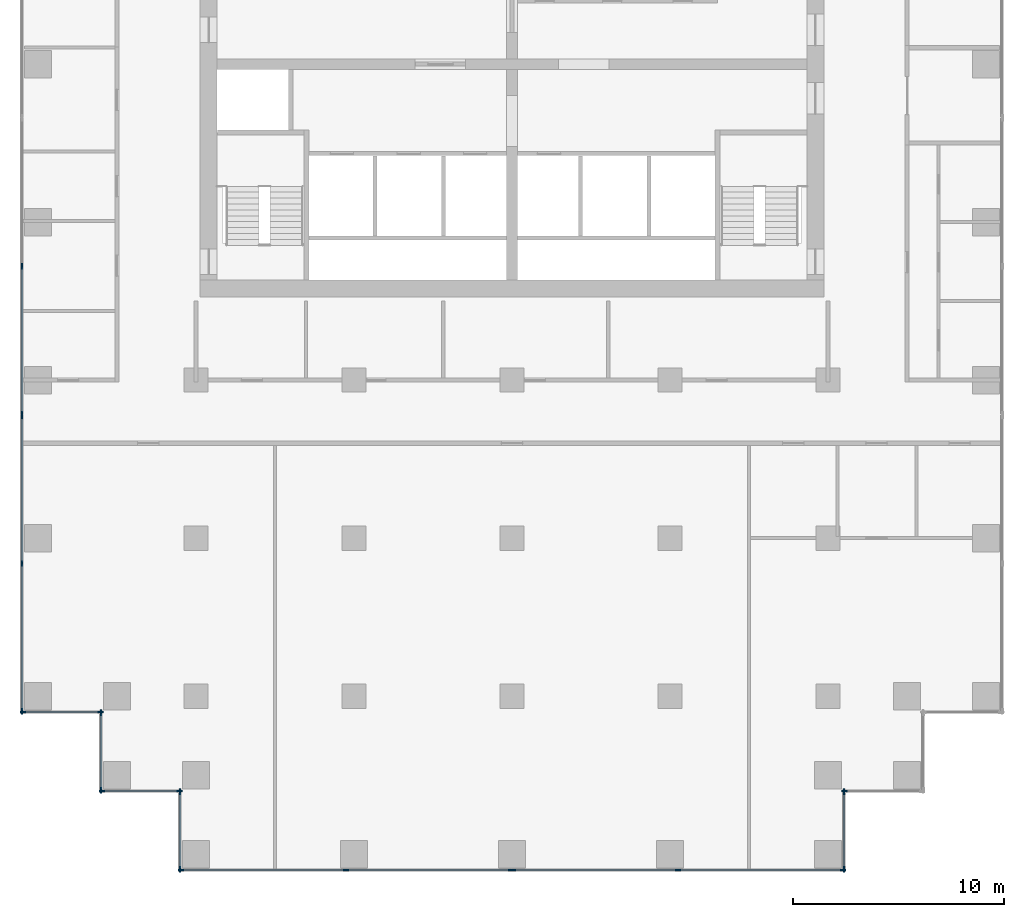
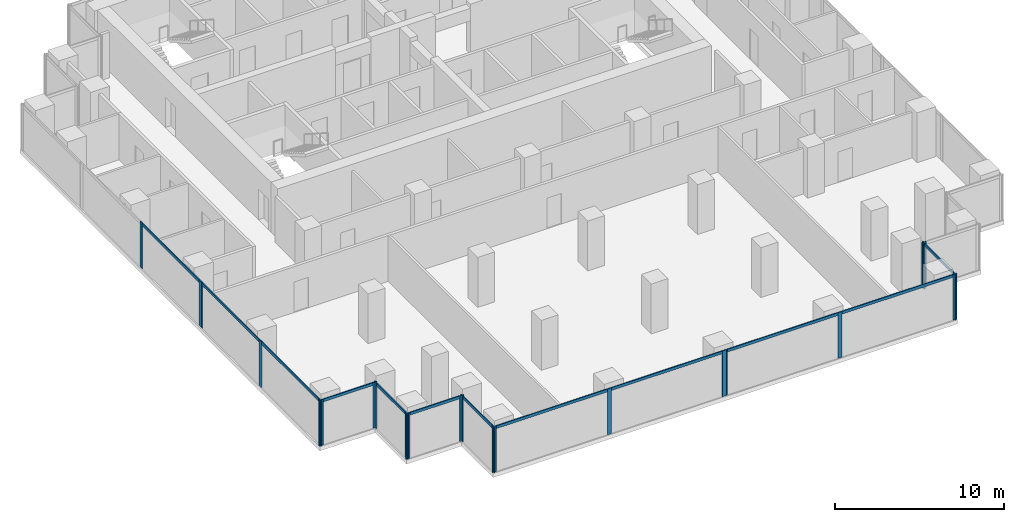
# One storey, part 2 of 10: 34 members, 10 elements without a shape of their own.
"""IFC4 building model written with IfcOpenShell, lengths in metres."""

from ifc_helpers import new_model, si_unit, direction, frame, origin, origin_2d, place, context, subcontext, project, spatial, rectangle, extrude, material, material_profile, profile_set, type_object, element, aggregate, save


model = new_model("IFC4")

# Units and contexts
model_context = context("Model", 3, precision=1e-05, world=origin(), true_north=direction((0.0, 1.0)))
body_context = subcontext(model_context, "Body", "Model", "MODEL_VIEW")
ifc_project = project(units=[si_unit("LENGTHUNIT", "METRE"), si_unit("AREAUNIT", "SQUARE_METRE"), si_unit("VOLUMEUNIT", "CUBIC_METRE"), si_unit("PLANEANGLEUNIT", "RADIAN"), si_unit("MASSUNIT", "GRAM", prefix="KILO")], contexts=[model_context])

# Site, building, storey
site_placement = place(None, origin())
site = spatial("IfcSite", under=ifc_project, at=site_placement, CompositionType="ELEMENT")
building_placement = place(site_placement, origin())
building = spatial("IfcBuilding", under=site, at=building_placement, Name="Pilkhan Gate Tower", CompositionType="ELEMENT")
storey_placement = place(building_placement, frame((0.0, 0.0, 118.0)))
storey = spatial("IfcBuildingStorey", under=building, at=storey_placement, Name="L29", CompositionType="ELEMENT", Elevation=118.0)

# Curtain wall, members
ifc_material_1 = material(Name="Pale anodised aluminium, clear low-iron double glazing", Category="aluminium")
curtain_wall_type = type_object("IfcCurtainWallType", Name="Office unitised curtain wall CW-O1", PredefinedType="USERDEFINED", material=ifc_material_1)
curtain_wall_1_placement = place(storey_placement, origin())
curtain_wall_1 = element("IfcCurtainWall", 1, at=curtain_wall_1_placement, inside=storey, type_object=curtain_wall_type, Name="Office unitised curtain wall CW-O1 L29 W", ObjectType="UNITISED CURTAIN WALL", PredefinedType="USERDEFINED")
ifc_material_2 = material(Name="Pale anodised aluminium", Category="aluminium")
ifc_material_profile_1 = material_profile(ifc_material_2, rectangle(XDim=0.070068359375, YDim=0.27490234375, at=origin_2d()), Name="Mullion 275x70")
ifc_profile_set_1 = profile_set([ifc_material_profile_1], Name="Pale anodised aluminium")
member_type_1 = type_object("IfcMemberType", Name="Mullion CW-O1 275x70", PredefinedType="MULLION", material=ifc_profile_set_1)
member_1_placement = place(storey_placement, frame((51.75, 51.784912109375, 0.0), z_axis=(0.0, 0.0, 1.0), x_axis=(-1.0, 0.0, 0.0)))
member_1 = element("IfcMember", 2, at=member_1_placement, type_object=member_type_1, Name="CW-O1 mullion 1", PredefinedType="MULLION", context=body_context, shape_type="SweptSolid", body=[
    extrude(rectangle(XDim=0.070068359375, YDim=0.27490234375, at=origin_2d()), origin(), (0.0, 0.0, 1.0), 3.300048828125),
])
member_2_placement = place(storey_placement, frame((51.75, 58.800048828125, 0.0), z_axis=(0.0, 0.0, 1.0), x_axis=(-1.0, 0.0, 0.0)))
member_2 = element("IfcMember", 3, at=member_2_placement, type_object=member_type_1, Name="CW-O1 mullion 2", PredefinedType="MULLION", context=body_context, shape_type="SweptSolid", body=[
    extrude(rectangle(XDim=0.070068359375, YDim=0.27490234375, at=origin_2d()), origin(), (0.0, 0.0, 1.0), 3.300048828125),
])
member_3_placement = place(storey_placement, frame((51.75, 65.81494140625, 0.0), z_axis=(0.0, 0.0, 1.0), x_axis=(-1.0, 0.0, 0.0)))
member_3 = element("IfcMember", 4, at=member_3_placement, type_object=member_type_1, Name="CW-O1 mullion 3", PredefinedType="MULLION", context=body_context, shape_type="SweptSolid", body=[
    extrude(rectangle(XDim=0.070068359375, YDim=0.27490234375, at=origin_2d()), origin(), (0.0, 0.0, 1.0), 3.300048828125),
])

curtain_wall_2_placement = place(storey_placement, origin())
curtain_wall_2 = element("IfcCurtainWall", 5, at=curtain_wall_2_placement, inside=storey, type_object=curtain_wall_type, Name="Office unitised curtain wall CW-O1 L29 W", ObjectType="UNITISED CURTAIN WALL", PredefinedType="USERDEFINED")
member_4_placement = place(storey_placement, frame((51.75, 65.885009765625, 0.0), z_axis=(0.0, 0.0, 1.0), x_axis=(-1.0, 0.0, 0.0)))
member_4 = element("IfcMember", 6, at=member_4_placement, type_object=member_type_1, Name="CW-O1 mullion 1", PredefinedType="MULLION", context=body_context, shape_type="SweptSolid", body=[
    extrude(rectangle(XDim=0.070068359375, YDim=0.27490234375, at=origin_2d()), origin(), (0.0, 0.0, 1.0), 3.300048828125),
])
member_5_placement = place(storey_placement, frame((51.75, 72.89990234375, 0.0), z_axis=(0.0, 0.0, 1.0), x_axis=(-1.0, 0.0, 0.0)))
member_5 = element("IfcMember", 7, at=member_5_placement, type_object=member_type_1, Name="CW-O1 mullion 2", PredefinedType="MULLION", context=body_context, shape_type="SweptSolid", body=[
    extrude(rectangle(XDim=0.070068359375, YDim=0.27490234375, at=origin_2d()), origin(), (0.0, 0.0, 1.0), 3.300048828125),
])

curtain_wall_3_placement = place(storey_placement, origin())
curtain_wall_3 = element("IfcCurtainWall", 8, at=curtain_wall_3_placement, inside=storey, type_object=curtain_wall_type, Name="Office unitised curtain wall CW-O1 L29 S", ObjectType="UNITISED CURTAIN WALL", PredefinedType="USERDEFINED")
member_6_placement = place(storey_placement, frame((51.784912109375, 51.75, 0.0), z_axis=(0.0, 0.0, 1.0), x_axis=(0.0, 1.0, 0.0)))
member_6 = element("IfcMember", 9, at=member_6_placement, type_object=member_type_1, Name="CW-O1 mullion 1", PredefinedType="MULLION", context=body_context, shape_type="SweptSolid", body=[
    extrude(rectangle(XDim=0.070068359375, YDim=0.27490234375, at=origin_2d()), origin(), (0.0, 0.0, 1.0), 3.300048828125),
])
member_7_placement = place(storey_placement, frame((55.465087890625, 51.75, 0.0), z_axis=(0.0, 0.0, 1.0), x_axis=(0.0, 1.0, 0.0)))
member_7 = element("IfcMember", 10, at=member_7_placement, type_object=member_type_1, Name="CW-O1 mullion 2", PredefinedType="MULLION", context=body_context, shape_type="SweptSolid", body=[
    extrude(rectangle(XDim=0.070068359375, YDim=0.27490234375, at=origin_2d()), origin(), (0.0, 0.0, 1.0), 3.300048828125),
])

curtain_wall_4_placement = place(storey_placement, origin())
curtain_wall_4 = element("IfcCurtainWall", 11, at=curtain_wall_4_placement, inside=storey, type_object=curtain_wall_type, Name="Office unitised curtain wall CW-O1 L29 W", ObjectType="UNITISED CURTAIN WALL", PredefinedType="USERDEFINED")
member_8_placement = place(storey_placement, frame((55.5, 48.034912109375, 0.0), z_axis=(0.0, 0.0, 1.0), x_axis=(-1.0, 0.0, 0.0)))
member_8 = element("IfcMember", 12, at=member_8_placement, type_object=member_type_1, Name="CW-O1 mullion 1", PredefinedType="MULLION", context=body_context, shape_type="SweptSolid", body=[
    extrude(rectangle(XDim=0.070068359375, YDim=0.27490234375, at=origin_2d()), origin(), (0.0, 0.0, 1.0), 3.300048828125),
])
member_9_placement = place(storey_placement, frame((55.5, 51.715087890625, 0.0), z_axis=(0.0, 0.0, 1.0), x_axis=(-1.0, 0.0, 0.0)))
member_9 = element("IfcMember", 13, at=member_9_placement, type_object=member_type_1, Name="CW-O1 mullion 2", PredefinedType="MULLION", context=body_context, shape_type="SweptSolid", body=[
    extrude(rectangle(XDim=0.070068359375, YDim=0.27490234375, at=origin_2d()), origin(), (0.0, 0.0, 1.0), 3.300048828125),
])

curtain_wall_5_placement = place(storey_placement, origin())
curtain_wall_5 = element("IfcCurtainWall", 14, at=curtain_wall_5_placement, inside=storey, type_object=curtain_wall_type, Name="Office unitised curtain wall CW-O1 L29 S", ObjectType="UNITISED CURTAIN WALL", PredefinedType="USERDEFINED")
member_10_placement = place(storey_placement, frame((55.534912109375, 48.0, 0.0), z_axis=(0.0, 0.0, 1.0), x_axis=(0.0, 1.0, 0.0)))
member_10 = element("IfcMember", 15, at=member_10_placement, type_object=member_type_1, Name="CW-O1 mullion 1", PredefinedType="MULLION", context=body_context, shape_type="SweptSolid", body=[
    extrude(rectangle(XDim=0.070068359375, YDim=0.27490234375, at=origin_2d()), origin(), (0.0, 0.0, 1.0), 3.300048828125),
])
member_11_placement = place(storey_placement, frame((59.215087890625, 48.0, 0.0), z_axis=(0.0, 0.0, 1.0), x_axis=(0.0, 1.0, 0.0)))
member_11 = element("IfcMember", 16, at=member_11_placement, type_object=member_type_1, Name="CW-O1 mullion 2", PredefinedType="MULLION", context=body_context, shape_type="SweptSolid", body=[
    extrude(rectangle(XDim=0.070068359375, YDim=0.27490234375, at=origin_2d()), origin(), (0.0, 0.0, 1.0), 3.300048828125),
])

curtain_wall_6_placement = place(storey_placement, origin())
curtain_wall_6 = element("IfcCurtainWall", 17, at=curtain_wall_6_placement, inside=storey, type_object=curtain_wall_type, Name="Office unitised curtain wall CW-O1 L29 W", ObjectType="UNITISED CURTAIN WALL", PredefinedType="USERDEFINED")
member_12_placement = place(storey_placement, frame((59.25, 44.284912109375, 0.0), z_axis=(0.0, 0.0, 1.0), x_axis=(-1.0, 0.0, 0.0)))
member_12 = element("IfcMember", 18, at=member_12_placement, type_object=member_type_1, Name="CW-O1 mullion 1", PredefinedType="MULLION", context=body_context, shape_type="SweptSolid", body=[
    extrude(rectangle(XDim=0.070068359375, YDim=0.27490234375, at=origin_2d()), origin(), (0.0, 0.0, 1.0), 3.300048828125),
])
member_13_placement = place(storey_placement, frame((59.25, 47.965087890625, 0.0), z_axis=(0.0, 0.0, 1.0), x_axis=(-1.0, 0.0, 0.0)))
member_13 = element("IfcMember", 19, at=member_13_placement, type_object=member_type_1, Name="CW-O1 mullion 2", PredefinedType="MULLION", context=body_context, shape_type="SweptSolid", body=[
    extrude(rectangle(XDim=0.070068359375, YDim=0.27490234375, at=origin_2d()), origin(), (0.0, 0.0, 1.0), 3.300048828125),
])

curtain_wall_7_placement = place(storey_placement, origin())
curtain_wall_7 = element("IfcCurtainWall", 20, at=curtain_wall_7_placement, inside=storey, type_object=curtain_wall_type, Name="Office unitised curtain wall CW-O1 L29 S", ObjectType="UNITISED CURTAIN WALL", PredefinedType="USERDEFINED")
member_14_placement = place(storey_placement, frame((59.284912109375, 44.25, 0.0), z_axis=(0.0, 0.0, 1.0), x_axis=(0.0, 1.0, 0.0)))
member_14 = element("IfcMember", 21, at=member_14_placement, type_object=member_type_1, Name="CW-O1 mullion 1", PredefinedType="MULLION", context=body_context, shape_type="SweptSolid", body=[
    extrude(rectangle(XDim=0.070068359375, YDim=0.27490234375, at=origin_2d()), origin(), (0.0, 0.0, 1.0), 3.300048828125),
])
member_15_placement = place(storey_placement, frame((67.125, 44.25, 0.0), z_axis=(0.0, 0.0, 1.0), x_axis=(0.0, 1.0, 0.0)))
member_15 = element("IfcMember", 22, at=member_15_placement, type_object=member_type_1, Name="CW-O1 mullion 2", PredefinedType="MULLION", context=body_context, shape_type="SweptSolid", body=[
    extrude(rectangle(XDim=0.070068359375, YDim=0.27490234375, at=origin_2d()), origin(), (0.0, 0.0, 1.0), 3.300048828125),
])
member_16_placement = place(storey_placement, frame((74.965087890625, 44.25, 0.0), z_axis=(0.0, 0.0, 1.0), x_axis=(0.0, 1.0, 0.0)))
member_16 = element("IfcMember", 23, at=member_16_placement, type_object=member_type_1, Name="CW-O1 mullion 3", PredefinedType="MULLION", context=body_context, shape_type="SweptSolid", body=[
    extrude(rectangle(XDim=0.070068359375, YDim=0.27490234375, at=origin_2d()), origin(), (0.0, 0.0, 1.0), 3.300048828125),
])

curtain_wall_8_placement = place(storey_placement, origin())
curtain_wall_8 = element("IfcCurtainWall", 24, at=curtain_wall_8_placement, inside=storey, type_object=curtain_wall_type, Name="Office unitised curtain wall CW-O1 L29 S", ObjectType="UNITISED CURTAIN WALL", PredefinedType="USERDEFINED")
member_17_placement = place(storey_placement, frame((75.034912109375, 44.25, 0.0), z_axis=(0.0, 0.0, 1.0), x_axis=(0.0, 1.0, 0.0)))
member_17 = element("IfcMember", 25, at=member_17_placement, type_object=member_type_1, Name="CW-O1 mullion 1", PredefinedType="MULLION", context=body_context, shape_type="SweptSolid", body=[
    extrude(rectangle(XDim=0.070068359375, YDim=0.27490234375, at=origin_2d()), origin(), (0.0, 0.0, 1.0), 3.300048828125),
])
member_18_placement = place(storey_placement, frame((82.875, 44.25, 0.0), z_axis=(0.0, 0.0, 1.0), x_axis=(0.0, 1.0, 0.0)))
member_18 = element("IfcMember", 26, at=member_18_placement, type_object=member_type_1, Name="CW-O1 mullion 2", PredefinedType="MULLION", context=body_context, shape_type="SweptSolid", body=[
    extrude(rectangle(XDim=0.070068359375, YDim=0.27490234375, at=origin_2d()), origin(), (0.0, 0.0, 1.0), 3.300048828125),
])
member_19_placement = place(storey_placement, frame((90.715087890625, 44.25, 0.0), z_axis=(0.0, 0.0, 1.0), x_axis=(0.0, 1.0, 0.0)))
member_19 = element("IfcMember", 27, at=member_19_placement, type_object=member_type_1, Name="CW-O1 mullion 3", PredefinedType="MULLION", context=body_context, shape_type="SweptSolid", body=[
    extrude(rectangle(XDim=0.070068359375, YDim=0.27490234375, at=origin_2d()), origin(), (0.0, 0.0, 1.0), 3.300048828125),
])

curtain_wall_9_placement = place(storey_placement, origin())
curtain_wall_9 = element("IfcCurtainWall", 28, at=curtain_wall_9_placement, inside=storey, type_object=curtain_wall_type, Name="Office unitised curtain wall CW-O1 L29 E", ObjectType="UNITISED CURTAIN WALL", PredefinedType="USERDEFINED")
member_20_placement = place(storey_placement, frame((90.75, 44.284912109375, 0.0), z_axis=(0.0, 0.0, 1.0), x_axis=(-1.0, 0.0, 0.0)))
member_20 = element("IfcMember", 29, at=member_20_placement, type_object=member_type_1, Name="CW-O1 mullion 1", PredefinedType="MULLION", context=body_context, shape_type="SweptSolid", body=[
    extrude(rectangle(XDim=0.070068359375, YDim=0.27490234375, at=origin_2d()), origin(), (0.0, 0.0, 1.0), 3.300048828125),
])
member_21_placement = place(storey_placement, frame((90.75, 47.965087890625, 0.0), z_axis=(0.0, 0.0, 1.0), x_axis=(-1.0, 0.0, 0.0)))
member_21 = element("IfcMember", 30, at=member_21_placement, type_object=member_type_1, Name="CW-O1 mullion 2", PredefinedType="MULLION", context=body_context, shape_type="SweptSolid", body=[
    extrude(rectangle(XDim=0.070068359375, YDim=0.27490234375, at=origin_2d()), origin(), (0.0, 0.0, 1.0), 3.300048828125),
])

# Curtain wall, member
curtain_wall_10_placement = place(storey_placement, origin())
curtain_wall_10 = element("IfcCurtainWall", 31, at=curtain_wall_10_placement, inside=storey, type_object=curtain_wall_type, Name="Office unitised curtain wall CW-O1 L29 S", ObjectType="UNITISED CURTAIN WALL", PredefinedType="USERDEFINED")
member_22_placement = place(storey_placement, frame((90.784912109375, 48.0, 0.0), z_axis=(0.0, 0.0, 1.0), x_axis=(0.0, 1.0, 0.0)))
member_22 = element("IfcMember", 32, at=member_22_placement, type_object=member_type_1, Name="CW-O1 mullion 1", PredefinedType="MULLION", context=body_context, shape_type="SweptSolid", body=[
    extrude(rectangle(XDim=0.070068359375, YDim=0.27490234375, at=origin_2d()), origin(), (0.0, 0.0, 1.0), 3.300048828125),
])
aggregate(curtain_wall_10, [member_22])

# Member
ifc_material_profile_2 = material_profile(ifc_material_2, rectangle(XDim=0.070068359375, YDim=0.199951171875, at=origin_2d()), Name="Transom 200x70")
ifc_profile_set_2 = profile_set([ifc_material_profile_2], Name="Pale anodised aluminium")
member_type_2 = type_object("IfcMemberType", Name="Transom CW-O1 200x70", PredefinedType="USERDEFINED", material=ifc_profile_set_2)
member_23_placement = place(storey_placement, frame((51.75, 51.820068359375, 3.199951171875), z_axis=(0.0, 1.0, 0.0), x_axis=(-1.0, 0.0, 0.0)))
member_23 = element("IfcMember", 33, at=member_23_placement, type_object=member_type_2, Name="CW-O1 transom 1", ObjectType="TRANSOM", PredefinedType="USERDEFINED", context=body_context, shape_type="SweptSolid", body=[
    extrude(rectangle(XDim=0.070068359375, YDim=0.199951171875, at=origin_2d()), origin(), (0.0, 0.0, 1.0), 6.94482421875),
])

member_24_placement = place(storey_placement, frame((51.75, 58.8349609375, 3.199951171875), z_axis=(0.0, 1.0, 0.0), x_axis=(-1.0, 0.0, 0.0)))
member_24 = element("IfcMember", 34, at=member_24_placement, type_object=member_type_2, Name="CW-O1 transom 2", ObjectType="TRANSOM", PredefinedType="USERDEFINED", context=body_context, shape_type="SweptSolid", body=[
    extrude(rectangle(XDim=0.070068359375, YDim=0.199951171875, at=origin_2d()), origin(), (0.0, 0.0, 1.0), 6.945068359375),
])

aggregate(curtain_wall_1, [member_1, member_2, member_3, member_23, member_24])

member_25_placement = place(storey_placement, frame((51.75, 65.919921875, 3.199951171875), z_axis=(0.0, 1.0, 0.0), x_axis=(-1.0, 0.0, 0.0)))
member_25 = element("IfcMember", 35, at=member_25_placement, type_object=member_type_2, Name="CW-O1 transom 1", ObjectType="TRANSOM", PredefinedType="USERDEFINED", context=body_context, shape_type="SweptSolid", body=[
    extrude(rectangle(XDim=0.070068359375, YDim=0.199951171875, at=origin_2d()), origin(), (0.0, 0.0, 1.0), 6.945068359375),
])

aggregate(curtain_wall_2, [member_4, member_5, member_25])

member_26_placement = place(storey_placement, frame((51.820068359375, 51.75, 3.199951171875), z_axis=(1.0, 0.0, 0.0), x_axis=(0.0, 1.0, 0.0)))
member_26 = element("IfcMember", 36, at=member_26_placement, type_object=member_type_2, Name="CW-O1 transom 1", ObjectType="TRANSOM", PredefinedType="USERDEFINED", context=body_context, shape_type="SweptSolid", body=[
    extrude(rectangle(XDim=0.070068359375, YDim=0.199951171875, at=origin_2d()), origin(), (0.0, 0.0, 1.0), 3.60986328125),
])

aggregate(curtain_wall_3, [member_6, member_7, member_26])

member_27_placement = place(storey_placement, frame((55.5, 48.070068359375, 3.199951171875), z_axis=(0.0, 1.0, 0.0), x_axis=(-1.0, 0.0, 0.0)))
member_27 = element("IfcMember", 37, at=member_27_placement, type_object=member_type_2, Name="CW-O1 transom 1", ObjectType="TRANSOM", PredefinedType="USERDEFINED", context=body_context, shape_type="SweptSolid", body=[
    extrude(rectangle(XDim=0.070068359375, YDim=0.199951171875, at=origin_2d()), origin(), (0.0, 0.0, 1.0), 3.60986328125),
])

aggregate(curtain_wall_4, [member_8, member_9, member_27])

member_28_placement = place(storey_placement, frame((55.570068359375, 48.0, 3.199951171875), z_axis=(1.0, 0.0, 0.0), x_axis=(0.0, 1.0, 0.0)))
member_28 = element("IfcMember", 38, at=member_28_placement, type_object=member_type_2, Name="CW-O1 transom 1", ObjectType="TRANSOM", PredefinedType="USERDEFINED", context=body_context, shape_type="SweptSolid", body=[
    extrude(rectangle(XDim=0.070068359375, YDim=0.199951171875, at=origin_2d()), origin(), (0.0, 0.0, 1.0), 3.60986328125),
])

aggregate(curtain_wall_5, [member_10, member_11, member_28])

member_29_placement = place(storey_placement, frame((59.25, 44.320068359375, 3.199951171875), z_axis=(0.0, 1.0, 0.0), x_axis=(-1.0, 0.0, 0.0)))
member_29 = element("IfcMember", 39, at=member_29_placement, type_object=member_type_2, Name="CW-O1 transom 1", ObjectType="TRANSOM", PredefinedType="USERDEFINED", context=body_context, shape_type="SweptSolid", body=[
    extrude(rectangle(XDim=0.070068359375, YDim=0.199951171875, at=origin_2d()), origin(), (0.0, 0.0, 1.0), 3.60986328125),
])

aggregate(curtain_wall_6, [member_12, member_13, member_29])

member_30_placement = place(storey_placement, frame((59.320068359375, 44.25, 3.199951171875), z_axis=(1.0, 0.0, 0.0), x_axis=(0.0, 1.0, 0.0)))
member_30 = element("IfcMember", 40, at=member_30_placement, type_object=member_type_2, Name="CW-O1 transom 1", ObjectType="TRANSOM", PredefinedType="USERDEFINED", context=body_context, shape_type="SweptSolid", body=[
    extrude(rectangle(XDim=0.070068359375, YDim=0.199951171875, at=origin_2d()), origin(), (0.0, 0.0, 1.0), 7.77001953125),
])

member_31_placement = place(storey_placement, frame((67.159912109375, 44.25, 3.199951171875), z_axis=(1.0, 0.0, 0.0), x_axis=(0.0, 1.0, 0.0)))
member_31 = element("IfcMember", 41, at=member_31_placement, type_object=member_type_2, Name="CW-O1 transom 2", ObjectType="TRANSOM", PredefinedType="USERDEFINED", context=body_context, shape_type="SweptSolid", body=[
    extrude(rectangle(XDim=0.070068359375, YDim=0.199951171875, at=origin_2d()), origin(), (0.0, 0.0, 1.0), 7.77001953125),
])

aggregate(curtain_wall_7, [member_14, member_15, member_16, member_30, member_31])

member_32_placement = place(storey_placement, frame((75.070068359375, 44.25, 3.199951171875), z_axis=(1.0, 0.0, 0.0), x_axis=(0.0, 1.0, 0.0)))
member_32 = element("IfcMember", 42, at=member_32_placement, type_object=member_type_2, Name="CW-O1 transom 1", ObjectType="TRANSOM", PredefinedType="USERDEFINED", context=body_context, shape_type="SweptSolid", body=[
    extrude(rectangle(XDim=0.070068359375, YDim=0.199951171875, at=origin_2d()), origin(), (0.0, 0.0, 1.0), 7.77001953125),
])

member_33_placement = place(storey_placement, frame((82.909912109375, 44.25, 3.199951171875), z_axis=(1.0, 0.0, 0.0), x_axis=(0.0, 1.0, 0.0)))
member_33 = element("IfcMember", 43, at=member_33_placement, type_object=member_type_2, Name="CW-O1 transom 2", ObjectType="TRANSOM", PredefinedType="USERDEFINED", context=body_context, shape_type="SweptSolid", body=[
    extrude(rectangle(XDim=0.070068359375, YDim=0.199951171875, at=origin_2d()), origin(), (0.0, 0.0, 1.0), 7.77001953125),
])

aggregate(curtain_wall_8, [member_17, member_18, member_19, member_32, member_33])

member_34_placement = place(storey_placement, frame((90.75, 44.320068359375, 3.199951171875), z_axis=(0.0, 1.0, 0.0), x_axis=(-1.0, 0.0, 0.0)))
member_34 = element("IfcMember", 44, at=member_34_placement, type_object=member_type_2, Name="CW-O1 transom 1", ObjectType="TRANSOM", PredefinedType="USERDEFINED", context=body_context, shape_type="SweptSolid", body=[
    extrude(rectangle(XDim=0.070068359375, YDim=0.199951171875, at=origin_2d()), origin(), (0.0, 0.0, 1.0), 3.60986328125),
])

aggregate(curtain_wall_9, [member_20, member_21, member_34])

save(model, "model.ifc")
